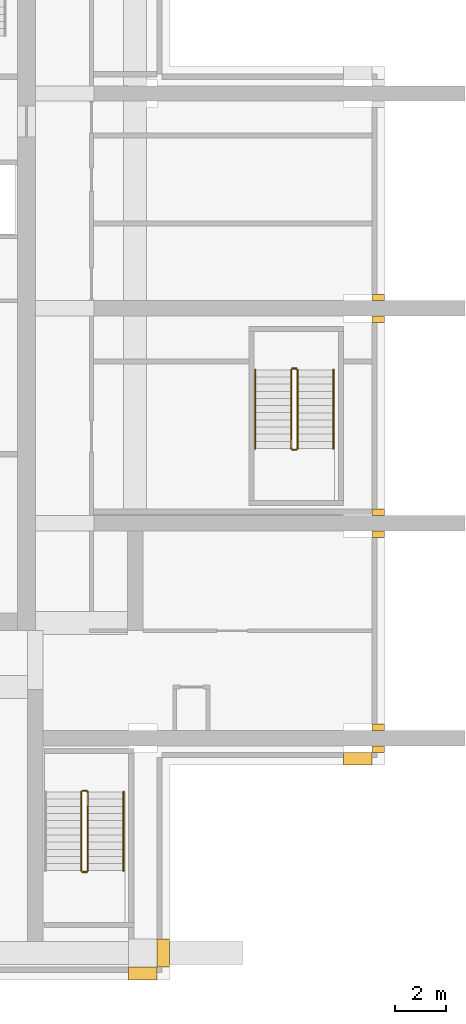
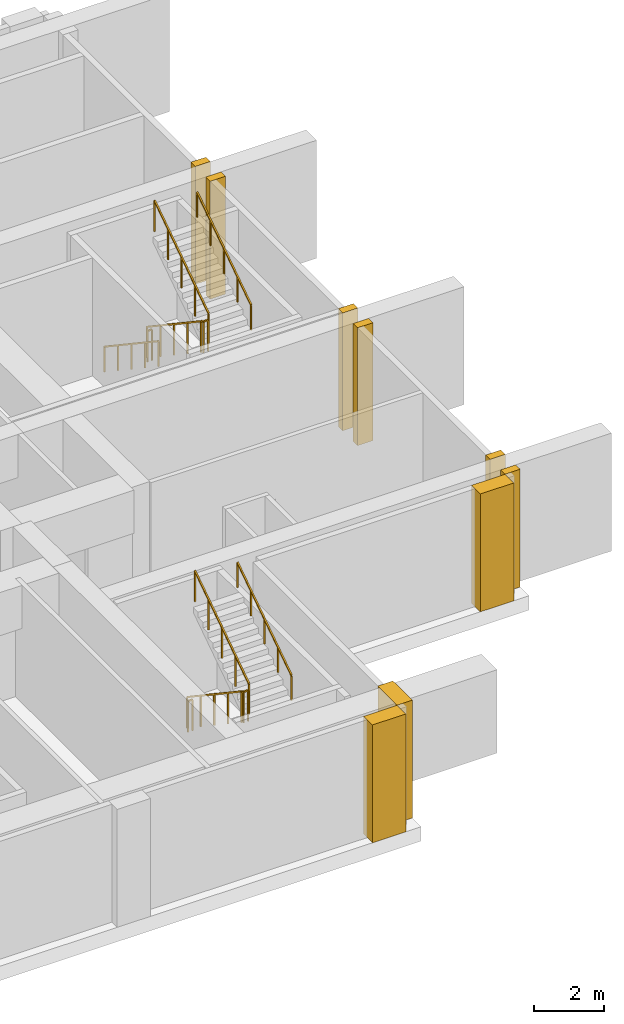
# One storey, part 8 of 10: 9 coverings, 9 railings.
"""IFC4 building model written with IfcOpenShell, lengths in metres."""

from ifc_helpers import new_model, si_unit, direction, frame, origin, origin_2d, place, context, subcontext, project, spatial, polyline, rectangle, outline, extrude, material, type_object, element, save


model = new_model("IFC4")

# Units and contexts
model_context = context("Model", 3, precision=1e-05, world=origin(), true_north=direction((0.0, 1.0)))
body_context = subcontext(model_context, "Body", "Model", "MODEL_VIEW")
ifc_project = project(units=[si_unit("LENGTHUNIT", "METRE"), si_unit("AREAUNIT", "SQUARE_METRE"), si_unit("VOLUMEUNIT", "CUBIC_METRE"), si_unit("PLANEANGLEUNIT", "RADIAN"), si_unit("MASSUNIT", "GRAM", prefix="KILO")], contexts=[model_context])

# Site, building, storey
site_placement = place(None, origin())
site = spatial("IfcSite", under=ifc_project, at=site_placement, CompositionType="ELEMENT")
building_placement = place(site_placement, origin())
building = spatial("IfcBuilding", under=site, at=building_placement, Name="Vermilion Ogive Tower", CompositionType="ELEMENT")
storey_placement = place(building_placement, frame((0.0, 0.0, 171.050048828125)))
storey = spatial("IfcBuildingStorey", under=building, at=storey_placement, Name="L44", CompositionType="ELEMENT", Elevation=171.050048828125)

# Railings
ifc_material_1 = material(Name="Steel S355 painted", Category="steel")
railing_type_1 = type_object("IfcRailingType", Name="Stair guard 1100", PredefinedType="GUARDRAIL", material=ifc_material_1)
railing_1_placement = place(storey_placement, frame((10.199951171875, -14.699951171875, 0.1875)))
element("IfcRailing", 1, at=railing_1_placement, inside=storey, type_object=railing_type_1, Name="L44 ST5 stair guard 1", PredefinedType="GUARDRAIL", context=body_context, shape_type="SweptSolid", body=[
    extrude(rectangle(XDim=0.048095703125, YDim=0.048095703125, at=origin_2d()), frame((0.0, 0.0, 1.076171875), z_axis=(0.0, -0.830913701846, 0.55640131208), x_axis=(1.0, 0.0, 0.0)), (0.0, 0.0, 1.0), 3.706787109375),
    extrude(rectangle(XDim=0.048095703125, YDim=0.048095703125, at=origin_2d()), frame((0.0, -3.080078125, 3.138671875), z_axis=(0.707106781187, -0.707106781187, 0.0), x_axis=(0.707106781187, 0.707106781187, 0.0)), (0.0, 0.0, 1.0), 0.07080078125),
    extrude(rectangle(XDim=0.048095703125, YDim=0.048095703125, at=origin_2d()), frame((0.050048828125, -3.130126953125, 3.138671875), z_axis=(1.0, 0.0, 0.0), x_axis=(0.0, 1.0, 0.0)), (0.0, 0.0, 1.0), 0.14990234375),
    extrude(rectangle(XDim=0.0419921875, YDim=0.0419921875, at=origin_2d()), origin(), (0.0, 0.0, 1.0), 1.052001953125),
    extrude(rectangle(XDim=0.0419921875, YDim=0.0419921875, at=origin_2d()), frame((0.0, -0.77001953125, 0.515625)), (0.0, 0.0, 1.0), 1.052001953125),
    extrude(rectangle(XDim=0.0419921875, YDim=0.0419921875, at=origin_2d()), frame((0.0, -1.5400390625, 1.03125)), (0.0, 0.0, 1.0), 1.052001953125),
    extrude(rectangle(XDim=0.0419921875, YDim=0.0419921875, at=origin_2d()), frame((0.0, -2.31005859375, 1.546875)), (0.0, 0.0, 1.0), 1.052001953125),
    extrude(rectangle(XDim=0.0419921875, YDim=0.0419921875, at=origin_2d()), frame((0.0, -3.080078125, 2.0625)), (0.0, 0.0, 1.0), 1.052001953125),
    extrude(rectangle(XDim=0.0419921875, YDim=0.0419921875, at=origin_2d()), frame((0.050048828125, -3.130126953125, 2.0625)), (0.0, 0.0, 1.0), 1.052001953125),
    extrude(rectangle(XDim=0.0419921875, YDim=0.0419921875, at=origin_2d()), frame((0.199951171875, -3.130126953125, 2.0625)), (0.0, 0.0, 1.0), 1.052001953125),
])
railing_2_placement = place(storey_placement, frame((10.449951171875, -17.780029296875, 2.4375)))
element("IfcRailing", 2, at=railing_2_placement, inside=storey, type_object=railing_type_1, Name="L44 ST5 stair guard 3", PredefinedType="GUARDRAIL", context=body_context, shape_type="SweptSolid", body=[
    extrude(rectangle(XDim=0.048095703125, YDim=0.048095703125, at=origin_2d()), frame((0.0, 0.0, 1.076171875), z_axis=(0.0, 0.830913701846, 0.55640131208), x_axis=(-1.0, 0.0, 0.0)), (0.0, 0.0, 1.0), 3.706787109375),
    extrude(rectangle(XDim=0.0419921875, YDim=0.0419921875, at=origin_2d()), origin(), (0.0, 0.0, 1.0), 1.052001953125),
    extrude(rectangle(XDim=0.0419921875, YDim=0.0419921875, at=origin_2d()), frame((0.0, 0.77001953125, 0.515625)), (0.0, 0.0, 1.0), 1.052001953125),
    extrude(rectangle(XDim=0.0419921875, YDim=0.0419921875, at=origin_2d()), frame((0.0, 1.5400390625, 1.03125)), (0.0, 0.0, 1.0), 1.052001953125),
    extrude(rectangle(XDim=0.0419921875, YDim=0.0419921875, at=origin_2d()), frame((0.0, 2.31005859375, 1.546875)), (0.0, 0.0, 1.0), 1.052001953125),
    extrude(rectangle(XDim=0.0419921875, YDim=0.0419921875, at=origin_2d()), frame((0.0, 3.080078125, 2.0625)), (0.0, 0.0, 1.0), 1.052001953125),
])
railing_3_placement = place(storey_placement, frame((10.25, -14.64990234375, 0.0)))
element("IfcRailing", 3, at=railing_3_placement, inside=storey, type_object=railing_type_1, Name="L44 ST5 stair guard 4", PredefinedType="GUARDRAIL", context=body_context, shape_type="SweptSolid", body=[
    extrude(rectangle(XDim=0.048095703125, YDim=0.048095703125, at=origin_2d()), frame((0.0, 0.0, 1.076171875), z_axis=(1.0, 0.0, 0.0), x_axis=(0.0, 1.0, 0.0)), (0.0, 0.0, 1.0), 0.14990234375),
    extrude(rectangle(XDim=0.0419921875, YDim=0.0419921875, at=origin_2d()), origin(), (0.0, 0.0, 1.0), 1.052001953125),
    extrude(rectangle(XDim=0.0419921875, YDim=0.0419921875, at=origin_2d()), frame((0.14990234375, 0.0, 0.0)), (0.0, 0.0, 1.0), 1.052001953125),
])
railing_4_placement = place(storey_placement, frame((18.39990234375, 1.800048828125, 0.1875)))
element("IfcRailing", 4, at=railing_4_placement, inside=storey, type_object=railing_type_1, Name="L44 ST8 stair guard 1", PredefinedType="GUARDRAIL", context=body_context, shape_type="SweptSolid", body=[
    extrude(rectangle(XDim=0.048095703125, YDim=0.048095703125, at=origin_2d()), frame((0.0, 0.0, 1.076171875), z_axis=(0.0, -0.830913701846, 0.55640131208), x_axis=(1.0, 0.0, 0.0)), (0.0, 0.0, 1.0), 3.706787109375),
    extrude(rectangle(XDim=0.048095703125, YDim=0.048095703125, at=origin_2d()), frame((0.0, -3.080078125, 3.138671875), z_axis=(0.707106781187, -0.707106781187, 0.0), x_axis=(0.707106781187, 0.707106781187, 0.0)), (0.0, 0.0, 1.0), 0.07080078125),
    extrude(rectangle(XDim=0.048095703125, YDim=0.048095703125, at=origin_2d()), frame((0.050048828125, -3.130126953125, 3.138671875), z_axis=(1.0, 0.0, 0.0), x_axis=(0.0, 1.0, 0.0)), (0.0, 0.0, 1.0), 0.150146484375),
    extrude(rectangle(XDim=0.0419921875, YDim=0.0419921875, at=origin_2d()), origin(), (0.0, 0.0, 1.0), 1.052001953125),
    extrude(rectangle(XDim=0.0419921875, YDim=0.0419921875, at=origin_2d()), frame((0.0, -0.77001953125, 0.515625)), (0.0, 0.0, 1.0), 1.052001953125),
    extrude(rectangle(XDim=0.0419921875, YDim=0.0419921875, at=origin_2d()), frame((0.0, -1.5400390625, 1.03125)), (0.0, 0.0, 1.0), 1.052001953125),
    extrude(rectangle(XDim=0.0419921875, YDim=0.0419921875, at=origin_2d()), frame((0.0, -2.31005859375, 1.546875)), (0.0, 0.0, 1.0), 1.052001953125),
    extrude(rectangle(XDim=0.0419921875, YDim=0.0419921875, at=origin_2d()), frame((0.0, -3.080078125, 2.0625)), (0.0, 0.0, 1.0), 1.052001953125),
    extrude(rectangle(XDim=0.0419921875, YDim=0.0419921875, at=origin_2d()), frame((0.050048828125, -3.130126953125, 2.0625)), (0.0, 0.0, 1.0), 1.052001953125),
    extrude(rectangle(XDim=0.0419921875, YDim=0.0419921875, at=origin_2d()), frame((0.2001953125, -3.130126953125, 2.0625)), (0.0, 0.0, 1.0), 1.052001953125),
])
railing_5_placement = place(storey_placement, frame((18.64990234375, -1.280029296875, 2.4375)))
element("IfcRailing", 5, at=railing_5_placement, inside=storey, type_object=railing_type_1, Name="L44 ST8 stair guard 3", PredefinedType="GUARDRAIL", context=body_context, shape_type="SweptSolid", body=[
    extrude(rectangle(XDim=0.048095703125, YDim=0.048095703125, at=origin_2d()), frame((0.0, 0.0, 1.076171875), z_axis=(0.0, 0.830913701846, 0.55640131208), x_axis=(-1.0, 0.0, 0.0)), (0.0, 0.0, 1.0), 3.706787109375),
    extrude(rectangle(XDim=0.0419921875, YDim=0.0419921875, at=origin_2d()), origin(), (0.0, 0.0, 1.0), 1.052001953125),
    extrude(rectangle(XDim=0.0419921875, YDim=0.0419921875, at=origin_2d()), frame((0.0, 0.77001953125, 0.515625)), (0.0, 0.0, 1.0), 1.052001953125),
    extrude(rectangle(XDim=0.0419921875, YDim=0.0419921875, at=origin_2d()), frame((0.0, 1.5400390625, 1.03125)), (0.0, 0.0, 1.0), 1.052001953125),
    extrude(rectangle(XDim=0.0419921875, YDim=0.0419921875, at=origin_2d()), frame((0.0, 2.31005859375, 1.546875)), (0.0, 0.0, 1.0), 1.052001953125),
    extrude(rectangle(XDim=0.0419921875, YDim=0.0419921875, at=origin_2d()), frame((0.0, 3.080078125, 2.0625)), (0.0, 0.0, 1.0), 1.052001953125),
])
railing_6_placement = place(storey_placement, frame((18.449951171875, 1.85009765625, 0.0)))
element("IfcRailing", 6, at=railing_6_placement, inside=storey, type_object=railing_type_1, Name="L44 ST8 stair guard 4", PredefinedType="GUARDRAIL", context=body_context, shape_type="SweptSolid", body=[
    extrude(rectangle(XDim=0.048095703125, YDim=0.048095703125, at=origin_2d()), frame((0.0, 0.0, 1.076171875), z_axis=(1.0, 0.0, 0.0), x_axis=(0.0, 1.0, 0.0)), (0.0, 0.0, 1.0), 0.150146484375),
    extrude(rectangle(XDim=0.0419921875, YDim=0.0419921875, at=origin_2d()), origin(), (0.0, 0.0, 1.0), 1.052001953125),
    extrude(rectangle(XDim=0.0419921875, YDim=0.0419921875, at=origin_2d()), frame((0.150146484375, 0.0, 0.0)), (0.0, 0.0, 1.0), 1.052001953125),
])
ifc_material_2 = material(Name="Stainless steel", Category="steel")
railing_type_2 = type_object("IfcRailingType", Name="Stair handrail 900", PredefinedType="HANDRAIL", material=ifc_material_2)
railing_7_placement = place(storey_placement, frame((11.85009765625, -17.780029296875, 2.4375)))
element("IfcRailing", 7, at=railing_7_placement, inside=storey, type_object=railing_type_2, Name="L44 ST5 stair handrail 2", PredefinedType="HANDRAIL", context=body_context, shape_type="SweptSolid", body=[
    extrude(rectangle(XDim=0.048095703125, YDim=0.048095703125, at=origin_2d()), frame((0.0, 0.0, 0.8759765625), z_axis=(0.0, 0.830913701846, 0.55640131208), x_axis=(-1.0, 0.0, 0.0)), (0.0, 0.0, 1.0), 3.706787109375),
    extrude(rectangle(XDim=0.0419921875, YDim=0.0419921875, at=origin_2d()), origin(), (0.0, 0.0, 1.0), 0.851806640625),
    extrude(rectangle(XDim=0.0419921875, YDim=0.0419921875, at=origin_2d()), frame((0.0, 0.77001953125, 0.515625)), (0.0, 0.0, 1.0), 0.851806640625),
    extrude(rectangle(XDim=0.0419921875, YDim=0.0419921875, at=origin_2d()), frame((0.0, 1.5400390625, 1.03125)), (0.0, 0.0, 1.0), 0.851806640625),
    extrude(rectangle(XDim=0.0419921875, YDim=0.0419921875, at=origin_2d()), frame((0.0, 2.31005859375, 1.546875)), (0.0, 0.0, 1.0), 0.851806640625),
    extrude(rectangle(XDim=0.0419921875, YDim=0.0419921875, at=origin_2d()), frame((0.0, 3.080078125, 2.0625)), (0.0, 0.0, 1.0), 0.851806640625),
])
railing_8_placement = place(storey_placement, frame((17.0, 1.800048828125, 0.1875)))
element("IfcRailing", 8, at=railing_8_placement, inside=storey, type_object=railing_type_2, Name="L44 ST8 stair handrail 1", PredefinedType="HANDRAIL", context=body_context, shape_type="SweptSolid", body=[
    extrude(rectangle(XDim=0.048095703125, YDim=0.048095703125, at=origin_2d()), frame((0.0, 0.0, 0.8759765625), z_axis=(0.0, -0.830913701846, 0.55640131208), x_axis=(1.0, 0.0, 0.0)), (0.0, 0.0, 1.0), 3.706787109375),
    extrude(rectangle(XDim=0.0419921875, YDim=0.0419921875, at=origin_2d()), origin(), (0.0, 0.0, 1.0), 0.851806640625),
    extrude(rectangle(XDim=0.0419921875, YDim=0.0419921875, at=origin_2d()), frame((0.0, -0.77001953125, 0.515625)), (0.0, 0.0, 1.0), 0.851806640625),
    extrude(rectangle(XDim=0.0419921875, YDim=0.0419921875, at=origin_2d()), frame((0.0, -1.5400390625, 1.03125)), (0.0, 0.0, 1.0), 0.851806640625),
    extrude(rectangle(XDim=0.0419921875, YDim=0.0419921875, at=origin_2d()), frame((0.0, -2.31005859375, 1.546875)), (0.0, 0.0, 1.0), 0.851806640625),
    extrude(rectangle(XDim=0.0419921875, YDim=0.0419921875, at=origin_2d()), frame((0.0, -3.080078125, 2.0625)), (0.0, 0.0, 1.0), 0.851806640625),
])
railing_9_placement = place(storey_placement, frame((20.050048828125, -1.280029296875, 2.4375)))
element("IfcRailing", 9, at=railing_9_placement, inside=storey, type_object=railing_type_2, Name="L44 ST8 stair handrail 2", PredefinedType="HANDRAIL", context=body_context, shape_type="SweptSolid", body=[
    extrude(rectangle(XDim=0.048095703125, YDim=0.048095703125, at=origin_2d()), frame((0.0, 0.0, 0.8759765625), z_axis=(0.0, 0.830913701846, 0.55640131208), x_axis=(-1.0, 0.0, 0.0)), (0.0, 0.0, 1.0), 3.706787109375),
    extrude(rectangle(XDim=0.0419921875, YDim=0.0419921875, at=origin_2d()), origin(), (0.0, 0.0, 1.0), 0.851806640625),
    extrude(rectangle(XDim=0.0419921875, YDim=0.0419921875, at=origin_2d()), frame((0.0, 0.77001953125, 0.515625)), (0.0, 0.0, 1.0), 0.851806640625),
    extrude(rectangle(XDim=0.0419921875, YDim=0.0419921875, at=origin_2d()), frame((0.0, 1.5400390625, 1.03125)), (0.0, 0.0, 1.0), 0.851806640625),
    extrude(rectangle(XDim=0.0419921875, YDim=0.0419921875, at=origin_2d()), frame((0.0, 2.31005859375, 1.546875)), (0.0, 0.0, 1.0), 0.851806640625),
    extrude(rectangle(XDim=0.0419921875, YDim=0.0419921875, at=origin_2d()), frame((0.0, 3.080078125, 2.0625)), (0.0, 0.0, 1.0), 0.851806640625),
])

# Coverings
ifc_material_3 = material(Name="Stone cladding", Category="masonry")
covering_type = type_object("IfcCoveringType", Name="Stone pier", PredefinedType="CLADDING", material=ifc_material_3)
covering_1_placement = place(storey_placement, origin())
element("IfcCovering", 10, at=covering_1_placement, inside=storey, type_object=covering_type, Name="Stone pier P+0126-210S", PredefinedType="CLADDING", context=body_context, shape_type="SweptSolid", body=[
    extrude(outline(polyline([(13.14990234375, -22.050048828125), (12.050048828125, -22.050048828125), (12.050048828125, -21.550048828125), (13.14990234375, -21.550048828125), (13.14990234375, -22.050048828125)])), origin(), (0.0, 0.0, 1.0), 4.099853515625),
])
covering_2_placement = place(storey_placement, origin())
element("IfcCovering", 11, at=covering_2_placement, inside=storey, type_object=covering_type, Name="Stone pier P+0126-210X1", PredefinedType="CLADDING", context=body_context, shape_type="SweptSolid", body=[
    extrude(outline(polyline([(13.64990234375, -21.550048828125), (13.14990234375, -21.550048828125), (13.14990234375, -20.449951171875), (13.64990234375, -20.449951171875), (13.64990234375, -21.550048828125)])), origin(), (0.0, 0.0, 1.0), 4.099853515625),
])
covering_3_placement = place(storey_placement, origin())
element("IfcCovering", 12, at=covering_3_placement, inside=storey, type_object=covering_type, Name="Stone pier P+0210+042", PredefinedType="CLADDING", context=body_context, shape_type="SweptSolid", body=[
    extrude(outline(polyline([(21.550048828125, 4.75), (22.050048828125, 4.75), (22.050048828125, 4.5), (21.550048828125, 4.5), (21.550048828125, 4.75), (21.550048828125, 4.75)])), origin(), (0.0, 0.0, 1.0), 4.099853515625),
])
covering_4_placement = place(storey_placement, origin())
element("IfcCovering", 13, at=covering_4_placement, inside=storey, type_object=covering_type, Name="Stone pier P+0210+0421", PredefinedType="CLADDING", context=body_context, shape_type="SweptSolid", body=[
    extrude(outline(polyline([(22.050048828125, 3.64990234375), (21.550048828125, 3.64990234375), (21.550048828125, 3.89990234375), (22.050048828125, 3.89990234375), (22.050048828125, 3.64990234375)])), origin(), (0.0, 0.0, 1.0), 4.099853515625),
])
covering_5_placement = place(storey_placement, origin())
element("IfcCovering", 14, at=covering_5_placement, inside=storey, type_object=covering_type, Name="Stone pier P+0210-042", PredefinedType="CLADDING", context=body_context, shape_type="SweptSolid", body=[
    extrude(outline(polyline([(21.550048828125, -4.5), (22.050048828125, -4.5), (22.050048828125, -4.75), (21.550048828125, -4.75), (21.550048828125, -4.75), (21.550048828125, -4.5)])), origin(), (0.0, 0.0, 1.0), 4.099853515625),
])
covering_6_placement = place(storey_placement, origin())
element("IfcCovering", 15, at=covering_6_placement, inside=storey, type_object=covering_type, Name="Stone pier P+0210-0421", PredefinedType="CLADDING", context=body_context, shape_type="SweptSolid", body=[
    extrude(outline(polyline([(21.550048828125, -3.64990234375), (22.050048828125, -3.64990234375), (22.050048828125, -3.89990234375), (21.550048828125, -3.89990234375), (21.550048828125, -3.64990234375)])), origin(), (0.0, 0.0, 1.0), 4.099853515625),
])
covering_7_placement = place(storey_placement, origin())
element("IfcCovering", 16, at=covering_7_placement, inside=storey, type_object=covering_type, Name="Stone pier P+0210-126X2", PredefinedType="CLADDING", context=body_context, shape_type="SweptSolid", body=[
    extrude(outline(polyline([(21.550048828125, -13.64990234375), (20.449951171875, -13.64990234375), (20.449951171875, -13.14990234375), (21.550048828125, -13.14990234375), (21.550048828125, -13.64990234375)])), origin(), (0.0, 0.0, 1.0), 4.099853515625),
])
covering_8_placement = place(storey_placement, origin())
element("IfcCovering", 17, at=covering_8_placement, inside=storey, type_object=covering_type, Name="Stone pier P+0210-126E", PredefinedType="CLADDING", context=body_context, shape_type="SweptSolid", body=[
    extrude(outline(polyline([(22.050048828125, -12.300048828125), (21.550048828125, -12.300048828125), (21.550048828125, -12.050048828125), (22.050048828125, -12.050048828125), (22.050048828125, -12.300048828125)])), origin(), (0.0, 0.0, 1.0), 4.099853515625),
])
covering_9_placement = place(storey_placement, origin())
element("IfcCovering", 18, at=covering_9_placement, inside=storey, type_object=covering_type, Name="Stone pier P+0210-126E1", PredefinedType="CLADDING", context=body_context, shape_type="SweptSolid", body=[
    extrude(outline(polyline([(21.550048828125, -13.14990234375), (21.550048828125, -12.89990234375), (22.050048828125, -12.89990234375), (22.050048828125, -13.14990234375), (21.550048828125, -13.14990234375)])), origin(), (0.0, 0.0, 1.0), 4.099853515625),
])

save(model, "model.ifc")
